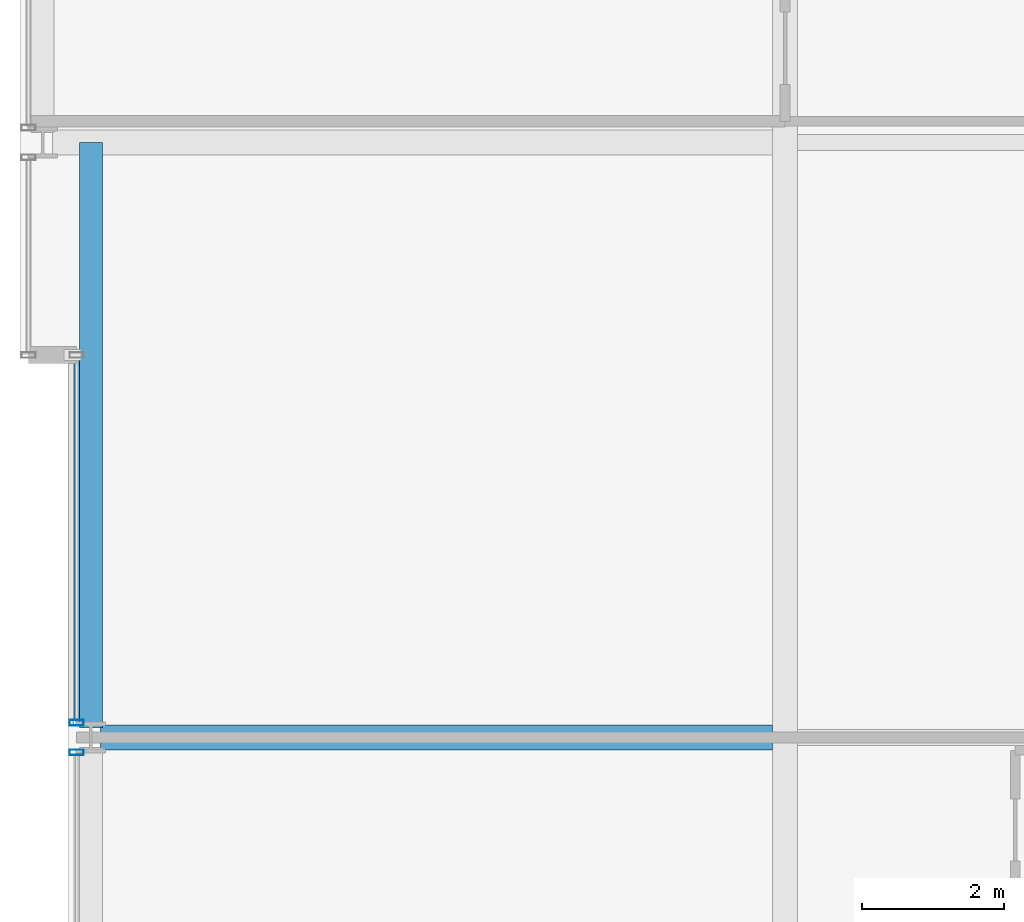
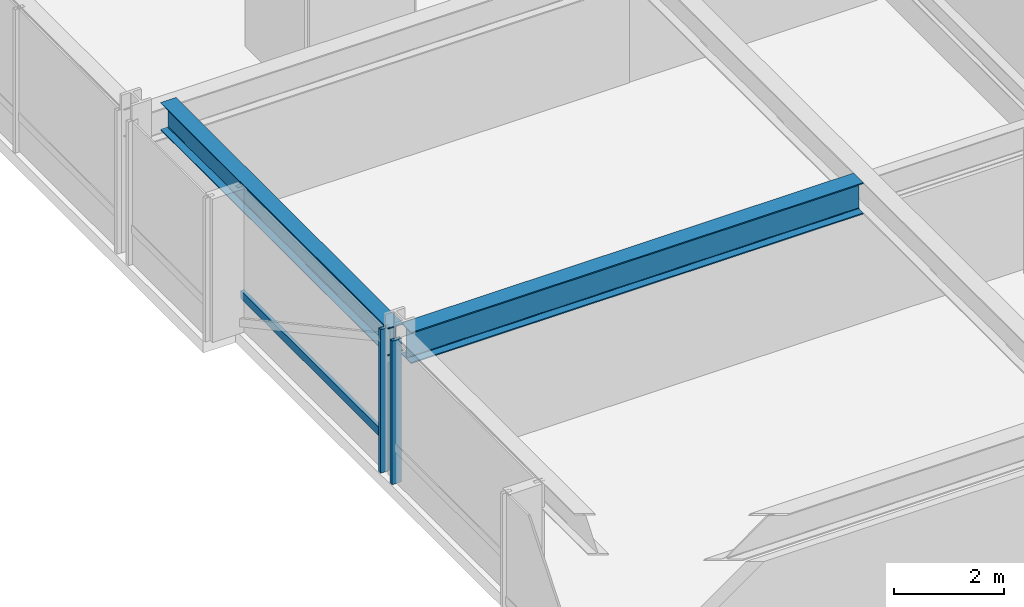
# One storey, part 9 of 35: 3 members, 2 beams, 2 elements without a shape of their own.
"""IFC4 building model written with IfcOpenShell, lengths in metres."""

from ifc_helpers import new_model, si_unit, direction, frame, origin, origin_2d, place, context, subcontext, project, spatial, hollow_rectangle, i_section, extrude, material, layer, layer_set, material_profile, profile_set, type_object, element, aggregate, save


model = new_model("IFC4")

# Units and contexts
model_context = context("Model", 3, precision=1e-05, world=origin(), true_north=direction((0.0, 1.0)))
body_context = subcontext(model_context, "Body", "Model", "MODEL_VIEW")
ifc_project = project(units=[si_unit("LENGTHUNIT", "METRE"), si_unit("AREAUNIT", "SQUARE_METRE"), si_unit("VOLUMEUNIT", "CUBIC_METRE"), si_unit("PLANEANGLEUNIT", "RADIAN"), si_unit("MASSUNIT", "GRAM", prefix="KILO")], contexts=[model_context])

# Site, building, storey
site_placement = place(None, origin())
site = spatial("IfcSite", under=ifc_project, at=site_placement, CompositionType="ELEMENT")
building_placement = place(site_placement, origin())
building = spatial("IfcBuilding", under=site, at=building_placement, Name="Drelvath Grand Hotel", CompositionType="ELEMENT")
storey_placement = place(building_placement, frame((0.0, 0.0, 137.300048828125)))
storey = spatial("IfcBuildingStorey", under=building, at=storey_placement, Name="L35", CompositionType="ELEMENT", Elevation=137.300048828125)

# Curtain wall, member
ifc_material_1 = material(Name="Champagne Bronze Anodised Aluminium Frame", Category="aluminium")
ifc_layer = layer(ifc_material_1, 0.199951171875)
ifc_layer_set = layer_set([ifc_layer], Name="Champagne Bronze Anodised Aluminium Frame")
curtain_wall_type = type_object("IfcCurtainWallType", Name="Stick Curtain Wall CW-03 Champagne Bronze Mid-Rise", PredefinedType="NOTDEFINED", material=ifc_layer_set)
curtain_wall_1_placement = place(storey_placement, origin())
curtain_wall_1 = element("IfcCurtainWall", 1, at=curtain_wall_1_placement, inside=storey, type_object=curtain_wall_type, Name="L35 CW-03 Curtain Wall CW03-L35-WM2", PredefinedType="NOTDEFINED")
ifc_material_profile_1 = material_profile(ifc_material_1, hollow_rectangle(XDim=0.074951171875, YDim=0.179931640625, WallThickness=0.0048828125, at=origin_2d()), Name="HSS180X75X5")
ifc_profile_set_1 = profile_set([ifc_material_profile_1], Name="Champagne Bronze Anodised Aluminium Frame")
member_type_1 = type_object("IfcMemberType", Name="Curtain Wall Horizontal Transom CW-03 HSS180X75X5", PredefinedType="USERDEFINED", material=ifc_profile_set_1)
member_1_placement = place(storey_placement, frame((-26.199951171875, 27.24951171875, 0.794921875), z_axis=(0.0, 1.0, 0.0), x_axis=(-1.0, 0.0, 0.0)))
member_1 = element("IfcMember", 2, at=member_1_placement, type_object=member_type_1, Name="CW03-L35-WM2 Sill Transom", ObjectType="TRANSOM", PredefinedType="USERDEFINED", context=body_context, shape_type="SweptSolid", body=[
    extrude(hollow_rectangle(XDim=0.074951171875, YDim=0.179931640625, WallThickness=0.0048828125, at=origin_2d()), origin(), (0.0, 0.0, 1.0), 5.110595703125),
])

curtain_wall_2_placement = place(storey_placement, origin())
curtain_wall_2 = element("IfcCurtainWall", 3, at=curtain_wall_2_placement, inside=storey, type_object=curtain_wall_type, Name="L35 CW-03 Curtain Wall CW03-L35-WM1", PredefinedType="NOTDEFINED")
ifc_material_profile_2 = material_profile(ifc_material_1, hollow_rectangle(XDim=0.080078125, YDim=0.199951171875, WallThickness=0.0048828125, at=origin_2d()), Name="HSS200X80X5")
ifc_profile_set_2 = profile_set([ifc_material_profile_2], Name="Champagne Bronze Anodised Aluminium Frame")
member_type_2 = type_object("IfcMemberType", Name="Curtain Wall Vertical Mullion CW-03 HSS200X80X5", PredefinedType="MULLION", material=ifc_profile_set_2)
member_2_placement = place(storey_placement, frame((-26.199951171875, 26.79052734375, 0.0), z_axis=(0.0, 0.0, 1.0), x_axis=(0.0, 1.0, 0.0)))
member_2 = element("IfcMember", 4, at=member_2_placement, type_object=member_type_2, Name="CW03-L35-WM1 Mullion 2", PredefinedType="MULLION", context=body_context, shape_type="SweptSolid", body=[
    extrude(hollow_rectangle(XDim=0.080078125, YDim=0.199951171875, WallThickness=0.0048828125, at=origin_2d()), origin(), (0.0, 0.0, 1.0), 3.179931640625),
])
aggregate(curtain_wall_2, [member_2])

# Member
member_3_placement = place(storey_placement, frame((-26.199951171875, 27.20947265625, 0.0), z_axis=(0.0, 0.0, 1.0), x_axis=(0.0, 1.0, 0.0)))
member_3 = element("IfcMember", 5, at=member_3_placement, type_object=member_type_2, Name="CW03-L35-WM2 Mullion 1", PredefinedType="MULLION", context=body_context, shape_type="SweptSolid", body=[
    extrude(hollow_rectangle(XDim=0.080078125, YDim=0.199951171875, WallThickness=0.0048828125, at=origin_2d()), origin(), (0.0, 0.0, 1.0), 3.179931640625),
])

aggregate(curtain_wall_1, [member_3, member_1])

# Beams
ifc_material_2 = material(Name="Steel ASTM A992 Gr 50", Category="steel")
ifc_material_profile_3 = material_profile(ifc_material_2, i_section(OverallWidth=0.323974609375, OverallDepth=0.611083984375, WebThickness=0.0126953125, FlangeThickness=0.01904296875, FilletRadius=0.02197265625, at=origin_2d()), Name="W24X104")
ifc_profile_set_3 = profile_set([ifc_material_profile_3], Name="Steel ASTM A992 Gr 50")
beam_type_1 = type_object("IfcBeamType", Name="Perimeter Spandrel Beam W24X104", PredefinedType="SPANDREL", material=ifc_profile_set_3)
beam_1_placement = place(storey_placement, frame((-26.0, 27.139892578125, 2.874267578125), z_axis=(0.0, 1.0, 0.0), x_axis=(-1.0, 0.0, 0.0)))
element("IfcBeam", 6, at=beam_1_placement, inside=storey, type_object=beam_type_1, Name="L35 Spandrel West Mid N", PredefinedType="SPANDREL", context=body_context, shape_type="SweptSolid", body=[
    extrude(i_section(OverallWidth=0.323974609375, OverallDepth=0.611083984375, WebThickness=0.0126953125, FlangeThickness=0.01904296875, FilletRadius=0.02197265625, at=origin_2d()), origin(), (0.0, 0.0, 1.0), 8.260009765625),
])
ifc_material_profile_4 = material_profile(ifc_material_2, i_section(OverallWidth=0.354736328125, OverallDepth=0.695556640625, WebThickness=0.015380859375, FlangeThickness=0.025146484375, FilletRadius=0.02392578125, at=origin_2d()), Name="W27X146")
ifc_profile_set_4 = profile_set([ifc_material_profile_4], Name="Steel ASTM A992 Gr 50")
beam_type_2 = type_object("IfcBeamType", Name="Primary Floor Girder W27X146", PredefinedType="BEAM", material=ifc_profile_set_4)
beam_2_placement = place(storey_placement, frame((-25.860107421875, 27.0, 2.83203125), z_axis=(1.0, 0.0, 0.0), x_axis=(0.0, 1.0, 0.0)))
element("IfcBeam", 7, at=beam_2_placement, inside=storey, type_object=beam_type_2, Name="L35 West Wing Girder E", PredefinedType="BEAM", context=body_context, shape_type="SweptSolid", body=[
    extrude(i_section(OverallWidth=0.354736328125, OverallDepth=0.695556640625, WebThickness=0.015380859375, FlangeThickness=0.025146484375, FilletRadius=0.02392578125, at=origin_2d()), origin(), (0.0, 0.0, 1.0), 9.482666015625),
])

save(model, "model.ifc")
